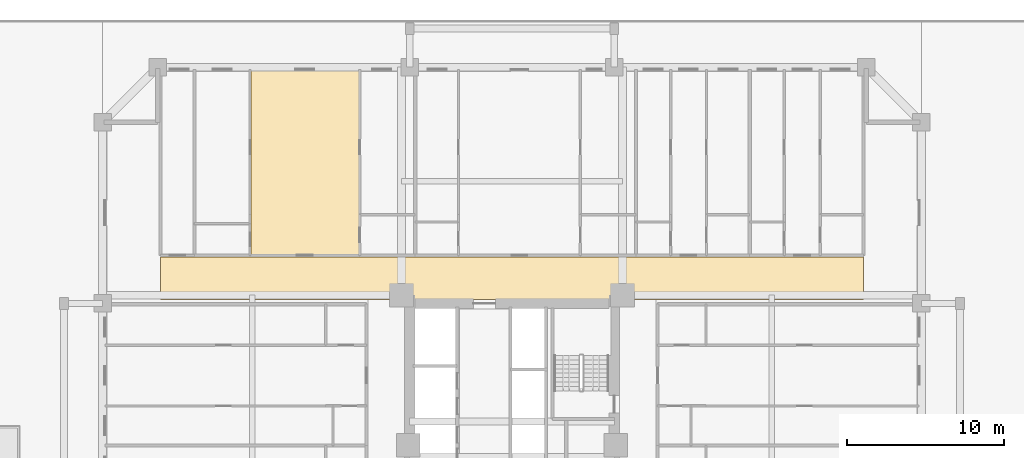
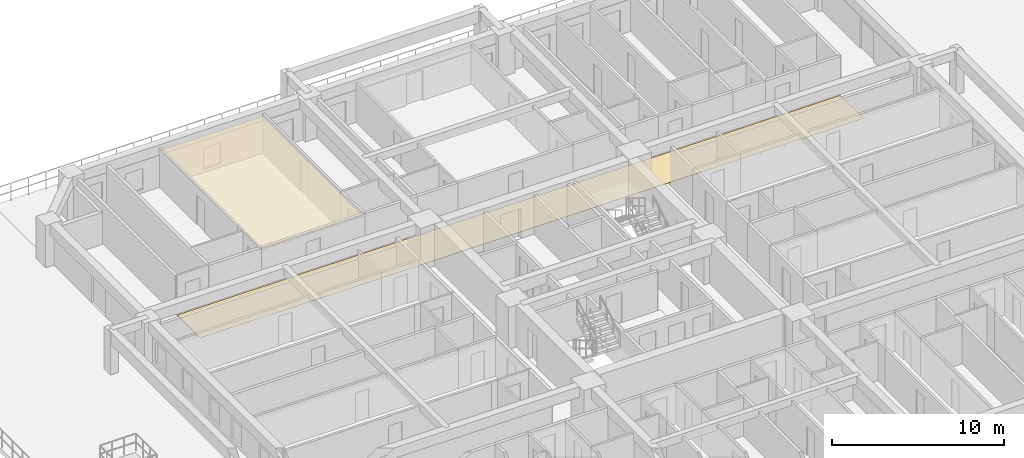
# One storey, part 17 of 19: 2 coverings.
"""IFC4 building model written with IfcOpenShell, lengths in metres."""

import ifcopenshell
import ifcopenshell.guid

model = None  # the IFC model being written
_history = None  # IfcOwnerHistory: only IFC2X3 demands one
_inside = {}  # id of a spatial element -> (the spatial element, [elements in it])
_under = {}  # id of a project, library or spatial element -> (it, [spatial elements below it])
_declared = {}  # id of a project -> (the project, [libraries it declares])
_typed = {}  # id of a type object -> (the type object, [elements of that type])
_made_of = {}  # id of a material, layer set ... -> (it, [elements and type objects made of it])


def new_model(schema):
    """Start an empty IFC model of exactly this schema.

    Asked for "IFC4X3", IfcOpenShell would pick the latest addendum, in which some entities
    have other attributes; the version numbers below select the first issue.
    IFC2X3 requires an IfcOwnerHistory on every rooted entity: one is made here for all.
    """
    global model, _history
    if schema == "IFC4X3":
        model = ifcopenshell.file(schema_version=(4, 3, 0, 0))
    else:
        model = ifcopenshell.file(schema=schema)
    _inside.clear()
    _under.clear()
    _declared.clear()
    _typed.clear()
    _made_of.clear()
    _history = None
    if model.schema == "IFC2X3":
        org = make("IfcOrganization", Name="unknown")
        user = make(
            "IfcPersonAndOrganization",
            ThePerson=make("IfcPerson", FamilyName="unknown"),
            TheOrganization=org,
        )
        app = make(
            "IfcApplication",
            ApplicationDeveloper=org,
            Version="unknown",
            ApplicationFullName="unknown",
            ApplicationIdentifier="unknown",
        )
        _history = make(
            "IfcOwnerHistory",
            OwningUser=user,
            OwningApplication=app,
            ChangeAction="ADDED",
            CreationDate=0,
        )
    return model


def make(cls, **values):
    """One entity of the class cls with the attributes given. An attribute that is None is left unset."""
    return model.create_entity(
        cls, **{name: value for name, value in values.items() if value is not None}
    )


def rooted(cls, **values):
    """An entity with a GlobalId (a new one), such as an element, a storey or a relation."""
    return make(cls, GlobalId=ifcopenshell.guid.new(), OwnerHistory=_history, **values)


def si_unit(unit_type, name, prefix=None):
    """IfcSIUnit, for example si_unit("LENGTHUNIT", "METRE", prefix="MILLI")."""
    return make("IfcSIUnit", UnitType=unit_type, Prefix=prefix, Name=name)


def assignment(units):
    """IfcUnitAssignment: the units of a project."""
    return None if units is None else make("IfcUnitAssignment", Units=units)


def point(xyz):
    """IfcCartesianPoint."""
    return None if xyz is None else make("IfcCartesianPoint", Coordinates=xyz)


def direction(xyz):
    """IfcDirection."""
    return None if xyz is None else make("IfcDirection", DirectionRatios=xyz)


def frame(location, z_axis=None, x_axis=None):
    """IfcAxis2Placement3D, a coordinate frame: its origin and axes. An axis left out is left unset."""
    return make(
        "IfcAxis2Placement3D",
        Location=point(location),
        Axis=direction(z_axis),
        RefDirection=direction(x_axis),
    )


def origin():
    """The frame at (0, 0, 0) with its axes left unset."""
    return frame((0.0, 0.0, 0.0))


def place(relative_to, where):
    """IfcLocalPlacement: puts the frame where relative to a parent placement (None: the world)."""
    return make(
        "IfcLocalPlacement", PlacementRelTo=relative_to, RelativePlacement=where
    )


def context(
    kind, dimensions, precision=None, world=None, true_north=None, identifier=None
):
    """IfcGeometricRepresentationContext, for example the 3D "Model" context."""
    return make(
        "IfcGeometricRepresentationContext",
        ContextIdentifier=identifier,
        ContextType=kind,
        CoordinateSpaceDimension=dimensions,
        Precision=precision,
        WorldCoordinateSystem=world,
        TrueNorth=true_north,
    )


def subcontext(parent, identifier, kind, view, scale=None):
    """IfcGeometricRepresentationSubContext, for example "Body" below "Model"."""
    return make(
        "IfcGeometricRepresentationSubContext",
        ContextIdentifier=identifier,
        ContextType=kind,
        ParentContext=parent,
        TargetScale=scale,
        TargetView=view,
    )


def project(units=None, contexts=None):
    """IfcProject with its units and contexts."""
    return rooted(
        "IfcProject",
        Name="project",
        RepresentationContexts=contexts,
        UnitsInContext=assignment(units),
    )


def spatial(cls, under=None, at=None, **own):
    """A site, building, storey or space (cls), placed at a placement, below another one or the project."""
    s = rooted(cls, ObjectPlacement=at, **own)
    if under is not None:
        _under.setdefault(under.id(), (under, []))[1].append(s)
    return s


def polyline(points):
    """IfcPolyline through the points."""
    return make("IfcPolyline", Points=[point(p) for p in points])


def outline(outer, holes=None, kind="AREA"):
    """IfcArbitraryClosedProfileDef: a profile drawn as a closed curve; with holes, ...WithVoids."""
    if holes is None:
        return make("IfcArbitraryClosedProfileDef", ProfileType=kind, OuterCurve=outer)
    return make(
        "IfcArbitraryProfileDefWithVoids",
        ProfileType=kind,
        OuterCurve=outer,
        InnerCurves=holes,
    )


def extrude(swept, where, along, depth):
    """IfcExtrudedAreaSolid: the profile swept, set in the frame where, extruded along a direction by depth."""
    return make(
        "IfcExtrudedAreaSolid",
        SweptArea=swept,
        Position=where,
        ExtrudedDirection=direction(along),
        Depth=depth,
    )


def shape(context_of_items, identifier, shape_type, items):
    """IfcShapeRepresentation: the items that make up one representation, for example the "Body"."""
    return make(
        "IfcShapeRepresentation",
        ContextOfItems=context_of_items,
        RepresentationIdentifier=identifier,
        RepresentationType=shape_type,
        Items=items,
    )


def material(Name=None, Category=None):
    """IfcMaterial."""
    return make("IfcMaterial", Name=Name, Category=Category)


def layer(
    of_material, thickness, ventilated=None, Name=None, Category=None, Priority=None
):
    """IfcMaterialLayer: one layer of a wall or slab, of a material (None: an air gap)."""
    return make(
        "IfcMaterialLayer",
        Material=of_material,
        LayerThickness=thickness,
        IsVentilated=ventilated,
        Name=Name,
        Category=Category,
        Priority=Priority,
    )


def layer_set(layers, Name=None):
    """IfcMaterialLayerSet."""
    return make("IfcMaterialLayerSet", MaterialLayers=layers, LayerSetName=Name)


def made_of(thing, what):
    """Note that an element or type object is made of a material, layer set ...; save() writes the relation."""
    if what is not None:
        _made_of.setdefault(what.id(), (what, []))[1].append(thing)
    return thing


def type_object(cls, material=None, **own):
    """A type object (cls), such as IfcWallType, which elements share."""
    return made_of(rooted(cls, **own), material)


def element(
    cls,
    number,
    at=None,
    inside=None,
    cuts=None,
    type_object=None,
    material=None,
    context=None,
    identifier="Body",
    shape_type=None,
    held_by="IfcProductDefinitionShape",
    body=None,
    shapes=None,
    **own,
):
    """One element of the class cls, such as IfcWall. Its Tag is "e" and its number.

    at: its placement. inside: the storey or other place that contains it. cuts: it is an
    opening in that element (IfcRelVoidsElement). A single representation is given by context,
    identifier, shape_type and body (its items); several are given by shapes. held_by: the class
    of the entity that holds the representations. save() writes the other relations.
    """
    e = rooted(cls, Tag="e%d" % number, ObjectPlacement=at, **own)
    if body is not None:
        shapes = [shape(context, identifier, shape_type, body)]
    if shapes is not None:
        e.Representation = make(held_by, Representations=shapes)
    if inside is not None:
        _inside.setdefault(inside.id(), (inside, []))[1].append(e)
    if cuts is not None:
        rooted(
            "IfcRelVoidsElement", RelatingBuildingElement=cuts, RelatedOpeningElement=e
        )
    if type_object is not None:
        _typed.setdefault(type_object.id(), (type_object, []))[1].append(e)
    return made_of(e, material)


def aggregate(whole, parts):
    """IfcRelAggregates: a whole, such as a stair, and the parts it consists of."""
    return rooted("IfcRelAggregates", RelatingObject=whole, RelatedObjects=parts)


def save(model, path):
    """Write the relations noted so far, then the file.

    IfcRelAggregates (storeys below a building ...), IfcRelContainedInSpatialStructure (elements
    in a storey), IfcRelDefinesByType, IfcRelAssociatesMaterial and IfcRelDeclares: one each for
    every whole, place, type object, material and project.
    """
    for whole, parts in _under.values():
        aggregate(whole, parts)
    for where, things in _inside.values():
        rooted(
            "IfcRelContainedInSpatialStructure",
            RelatedElements=things,
            RelatingStructure=where,
        )
    for kind, things in _typed.values():
        rooted("IfcRelDefinesByType", RelatedObjects=things, RelatingType=kind)
    for what, things in _made_of.values():
        rooted("IfcRelAssociatesMaterial", RelatedObjects=things, RelatingMaterial=what)
    for by, libraries in _declared.values():
        rooted("IfcRelDeclares", RelatingContext=by, RelatedDefinitions=libraries)
    model.write(path)


model = new_model("IFC4")

# Units and contexts
model_context = context("Model", 3, precision=1e-05, world=origin(), true_north=direction((0.0, 1.0)))
body_context = subcontext(model_context, "Body", "Model", "MODEL_VIEW")
ifc_project = project(units=[si_unit("LENGTHUNIT", "METRE"), si_unit("AREAUNIT", "SQUARE_METRE"), si_unit("VOLUMEUNIT", "CUBIC_METRE"), si_unit("PLANEANGLEUNIT", "RADIAN"), si_unit("MASSUNIT", "GRAM", prefix="KILO")], contexts=[model_context])

# Site, building, storey
site_placement = place(None, origin())
site = spatial("IfcSite", under=ifc_project, at=site_placement, CompositionType="ELEMENT")
building_placement = place(site_placement, origin())
building = spatial("IfcBuilding", under=site, at=building_placement, Name="Saelheon Loggia Tower", CompositionType="ELEMENT")
storey_placement = place(building_placement, frame((0.0, 0.0, 19.39990234375)))
storey = spatial("IfcBuildingStorey", under=building, at=storey_placement, Name="L05", CompositionType="ELEMENT", Elevation=19.39990234375)

# Coverings
ifc_material_1 = material(Name="Mineral-Fibre Acoustic Ceiling Board", Category="gypsum")
ifc_layer_1 = layer(ifc_material_1, 0.02490234375)
ifc_layer_set_1 = layer_set([ifc_layer_1], Name="Mineral-Fibre Acoustic Ceiling Board")
covering_type_1 = type_object("IfcCoveringType", Name="Cov_Ceiling_Acoustic", PredefinedType="CEILING", material=ifc_layer_set_1)
covering_1_placement = place(storey_placement, frame((0.0, 0.0, 2.53515625)))
element("IfcCovering", 1, at=covering_1_placement, inside=storey, type_object=covering_type_1, Name="L05 Acoustic Suspended Ceiling", PredefinedType="CEILING", context=body_context, shape_type="SweptSolid", body=[
    extrude(outline(polyline([(21.40869140625, 39.10009765625), (28.27294921875, 39.10009765625), (28.27294921875, 50.800048828125), (21.40869140625, 50.800048828125), (21.40869140625, 39.10009765625)])), origin(), (0.0, 0.0, 1.0), 0.02490234375),
])
ifc_material_2 = material(Name="Vitrified Porcelain Floor Tile", Category="ceramic")
ifc_layer_2 = layer(ifc_material_2, 0.02001953125)
ifc_layer_set_2 = layer_set([ifc_layer_2], Name="Vitrified Porcelain Floor Tile")
covering_type_2 = type_object("IfcCoveringType", Name="Cov_Floor_Porcelain", PredefinedType="FLOORING", material=ifc_layer_set_2)
covering_2_placement = place(storey_placement, origin())
element("IfcCovering", 2, at=covering_2_placement, inside=storey, type_object=covering_type_2, Name="L05 Corridor Porcelain Flooring", PredefinedType="FLOORING", context=body_context, shape_type="SweptSolid", body=[
    extrude(outline(polyline([(15.679931640625, 36.25), (60.320068359375, 36.25), (60.320068359375, 38.949951171875), (15.679931640625, 38.949951171875), (15.679931640625, 36.25)])), origin(), (0.0, 0.0, 1.0), 0.02001953125),
])

save(model, "model.ifc")
